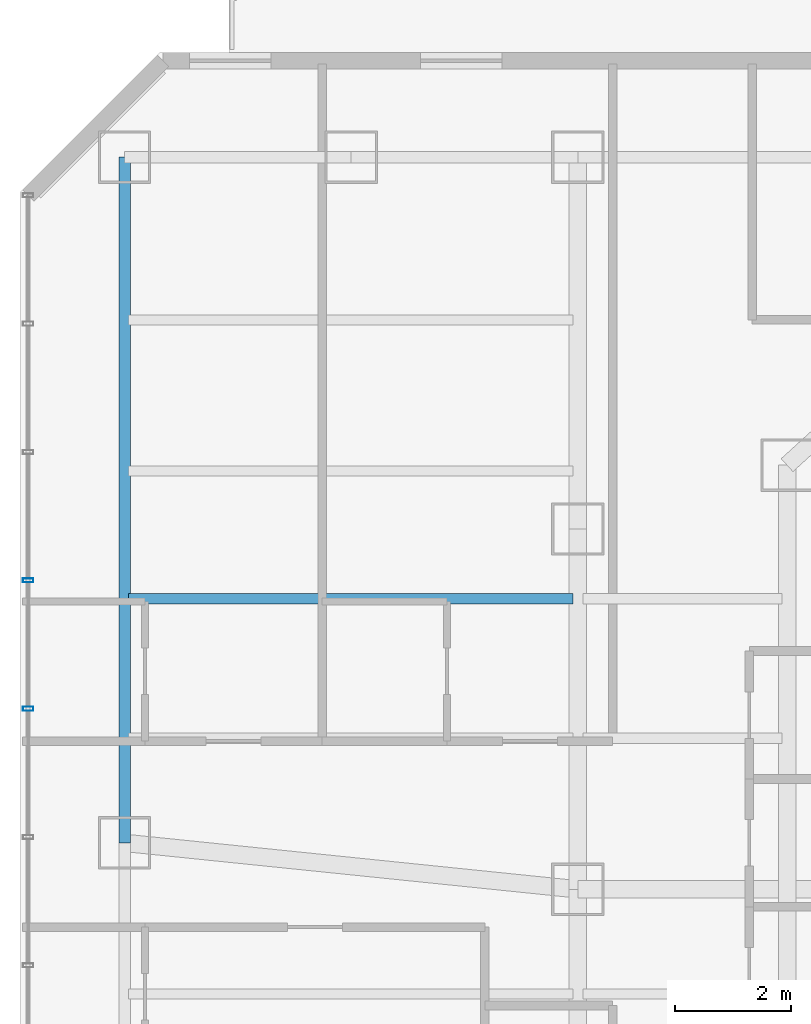
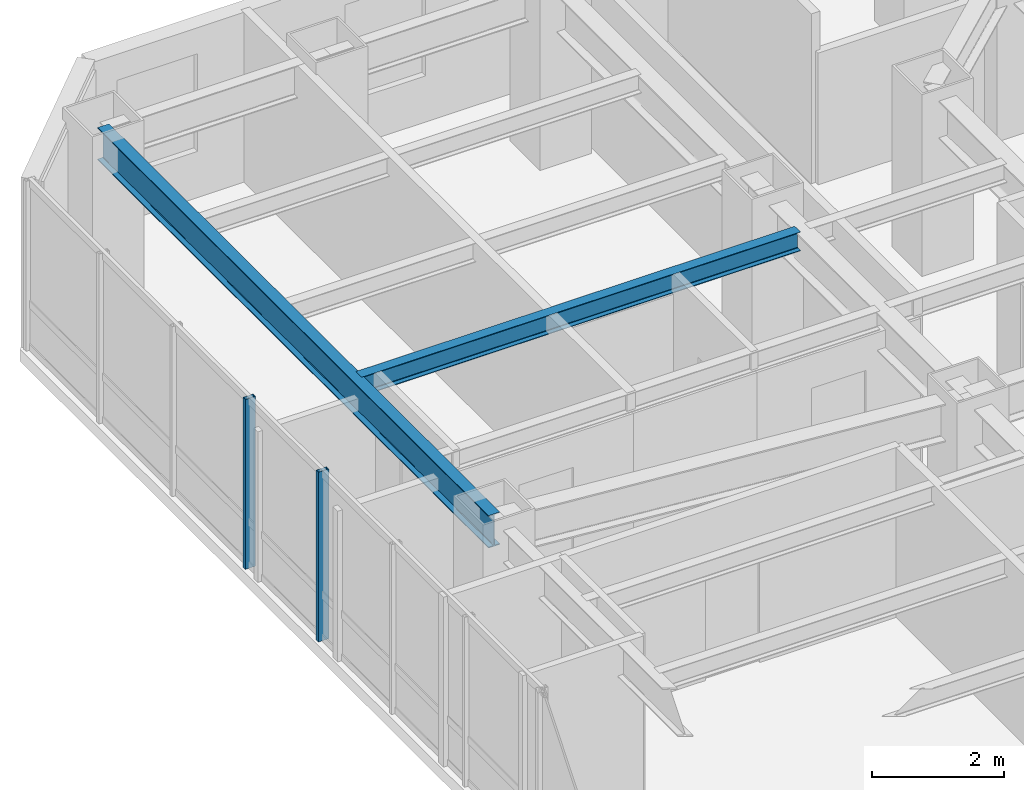
# One storey, part 15 of 30: 2 beams, 2 members, 1 element without a shape of its own.
"""IFC4 building model written with IfcOpenShell, lengths in metres."""

from ifc_helpers import new_model, si_unit, direction, frame, origin, origin_2d, place, context, subcontext, project, spatial, hollow_rectangle, i_section, extrude, material, layer, layer_set, material_profile, profile_set, type_object, element, aggregate, save


model = new_model("IFC4")

# Units and contexts
model_context = context("Model", 3, precision=1e-05, world=origin(), true_north=direction((0.0, 1.0)))
body_context = subcontext(model_context, "Body", "Model", "MODEL_VIEW")
ifc_project = project(units=[si_unit("LENGTHUNIT", "METRE"), si_unit("AREAUNIT", "SQUARE_METRE"), si_unit("VOLUMEUNIT", "CUBIC_METRE"), si_unit("PLANEANGLEUNIT", "RADIAN"), si_unit("MASSUNIT", "GRAM", prefix="KILO")], contexts=[model_context])

# Site, building, storey
site_placement = place(None, origin())
site = spatial("IfcSite", under=ifc_project, at=site_placement, CompositionType="ELEMENT")
building_placement = place(site_placement, origin())
building = spatial("IfcBuilding", under=site, at=building_placement, Name="Hatsunagi Terrace Concourse", CompositionType="ELEMENT")
storey_placement = place(building_placement, frame((0.0, 0.0, 74.60009765625)))
storey = spatial("IfcBuildingStorey", under=building, at=storey_placement, Name="L19", CompositionType="ELEMENT", Elevation=74.60009765625)

# Curtain wall, members
ifc_material_1 = material(Name="Anodised Aluminium Alloy 6063-T5", Category="aluminium")
ifc_layer = layer(ifc_material_1, 0.199951171875)
ifc_layer_set = layer_set([ifc_layer], Name="HotelFacade_CW02")
curtain_wall_type = type_object("IfcCurtainWallType", Name="HotelFacade_CW02", PredefinedType="NOTDEFINED", material=ifc_layer_set)
curtain_wall_placement = place(storey_placement, origin())
curtain_wall = element("IfcCurtainWall", 1, at=curtain_wall_placement, inside=storey, type_object=curtain_wall_type, Name="Unitised Curtain Wall CW-02 CW-L19-09", PredefinedType="NOTDEFINED")
ifc_material_2 = material(Name="Anodised Aluminium Alloy 6063-T5", Category="aluminium")
ifc_material_profile_1 = material_profile(ifc_material_2, hollow_rectangle(XDim=0.070068359375, YDim=0.179931640625, WallThickness=0.00390625, at=origin_2d()), Name="ALU-MUL-180x70x4")
ifc_profile_set_1 = profile_set([ifc_material_profile_1], Name="Anodised Aluminium Alloy 6063-T5")
member_type = type_object("IfcMemberType", Name="CurtainWallMullion_180x70", PredefinedType="MULLION", material=ifc_profile_set_1)
member_1_placement = place(storey_placement, frame((9.739990234375, 39.10791015625, 0.0), z_axis=(0.0, 0.0, 1.0), x_axis=(0.0, 1.0, 0.0)))
member_1 = element("IfcMember", 2, at=member_1_placement, type_object=member_type, Name="Curtain Wall Mullion MUL-02", PredefinedType="MULLION", context=body_context, shape_type="SweptSolid", body=[
    extrude(hollow_rectangle(XDim=0.070068359375, YDim=0.179931640625, WallThickness=0.00390625, at=origin_2d()), origin(), (0.0, 0.0, 1.0), 3.1298828125),
])
member_2_placement = place(storey_placement, frame((9.739990234375, 41.31689453125, 0.0), z_axis=(0.0, 0.0, 1.0), x_axis=(0.0, 1.0, 0.0)))
member_2 = element("IfcMember", 3, at=member_2_placement, type_object=member_type, Name="Curtain Wall Mullion MUL-02", PredefinedType="MULLION", context=body_context, shape_type="SweptSolid", body=[
    extrude(hollow_rectangle(XDim=0.070068359375, YDim=0.179931640625, WallThickness=0.00390625, at=origin_2d()), origin(), (0.0, 0.0, 1.0), 3.1298828125),
])
aggregate(curtain_wall, [member_1, member_2])

# Beams
ifc_material_3 = material(Name="Steel SN490B", Category="steel")
ifc_material_profile_2 = material_profile(ifc_material_3, i_section(OverallWidth=0.175048828125, OverallDepth=0.35009765625, WebThickness=0.007080078125, FlangeThickness=0.010986328125, FilletRadius=0.012939453125, at=origin_2d()), Name="H-350x175x7x11")
ifc_profile_set_2 = profile_set([ifc_material_profile_2], Name="Steel SN490B")
beam_type_1 = type_object("IfcBeamType", Name="HotelJoist_H_350x175", PredefinedType="JOIST", material=ifc_profile_set_2)
beam_1_placement = place(storey_placement, frame((11.465087890625, 41.0, 2.954833984375), z_axis=(1.0, 0.0, 0.0), x_axis=(0.0, 1.0, 0.0)))
element("IfcBeam", 4, at=beam_1_placement, inside=storey, type_object=beam_type_1, Name="Beam J-02 J-L19-W-11-410", PredefinedType="JOIST", context=body_context, shape_type="SweptSolid", body=[
    extrude(i_section(OverallWidth=0.175048828125, OverallDepth=0.35009765625, WebThickness=0.007080078125, FlangeThickness=0.010986328125, FilletRadius=0.012939453125, at=origin_2d()), origin(), (0.0, 0.0, 1.0), 7.64990234375),
])
ifc_material_4 = material(Name="Steel SN490B", Category="steel")
ifc_material_profile_3 = material_profile(ifc_material_4, i_section(OverallWidth=0.199951171875, OverallDepth=0.60009765625, WebThickness=0.010986328125, FlangeThickness=0.01708984375, FilletRadius=0.01806640625, at=origin_2d()), Name="H-600x200x11x17")
ifc_profile_set_3 = profile_set([ifc_material_profile_3], Name="Steel SN490B")
beam_type_2 = type_object("IfcBeamType", Name="PerimeterSpandrel_H_600x200", PredefinedType="SPANDREL", material=ifc_profile_set_3)
beam_2_placement = place(storey_placement, frame((11.39990234375, 36.800048828125, 2.829833984375), z_axis=(0.0, 1.0, 0.0), x_axis=(-1.0, 0.0, 0.0)))
element("IfcBeam", 5, at=beam_2_placement, inside=storey, type_object=beam_type_2, Name="Beam SP-01 BM-L19-NS-11-36", PredefinedType="SPANDREL", context=body_context, shape_type="SweptSolid", body=[
    extrude(i_section(OverallWidth=0.199951171875, OverallDepth=0.60009765625, WebThickness=0.010986328125, FlangeThickness=0.01708984375, FilletRadius=0.01806640625, at=origin_2d()), origin(), (0.0, 0.0, 1.0), 11.800048828125),
])

save(model, "model.ifc")
